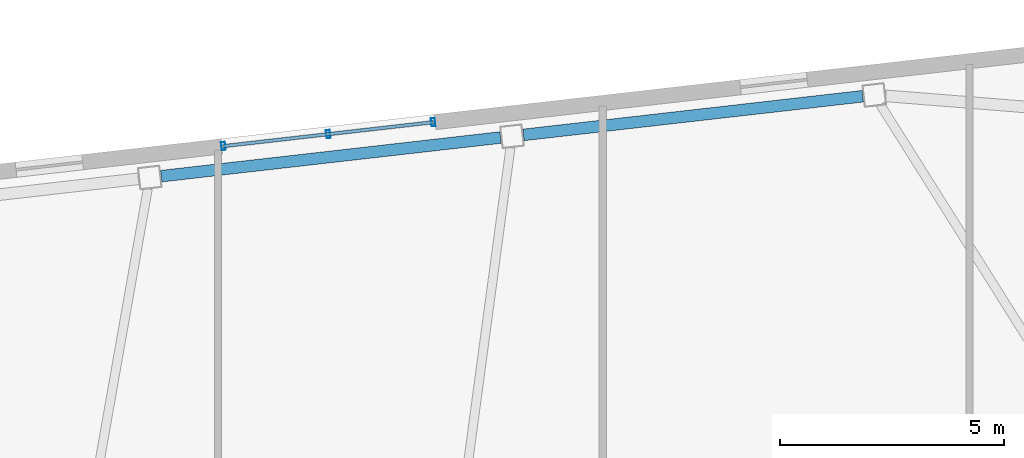
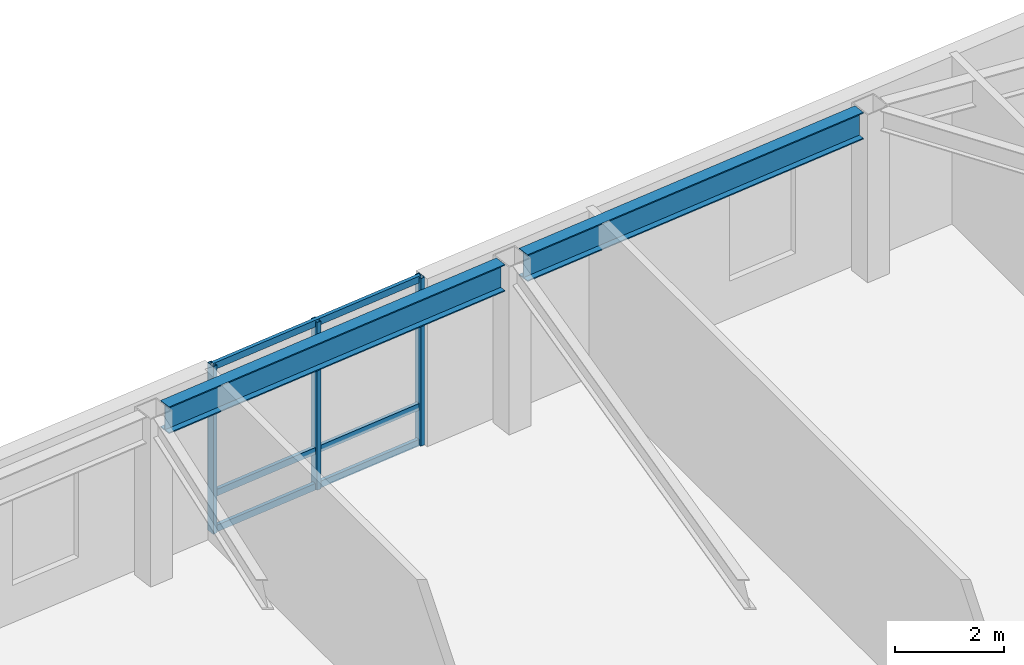
# One storey, part 10 of 18: 6 members, 2 beams, 1 element without a shape of its own.
"""IFC4 building model written with IfcOpenShell, lengths in metres."""

from ifc_helpers import new_model, si_unit, direction, frame, origin, origin_2d, place, context, subcontext, project, spatial, hollow_rectangle, i_section, extrude, material, layer, layer_set, material_profile, profile_set, type_object, element, aggregate, save


model = new_model("IFC4")

# Units and contexts
model_context = context("Model", 3, precision=1e-05, world=origin(), true_north=direction((0.0, 1.0)))
body_context = subcontext(model_context, "Body", "Model", "MODEL_VIEW")
ifc_project = project(units=[si_unit("LENGTHUNIT", "METRE"), si_unit("AREAUNIT", "SQUARE_METRE"), si_unit("VOLUMEUNIT", "CUBIC_METRE"), si_unit("PLANEANGLEUNIT", "RADIAN"), si_unit("MASSUNIT", "GRAM", prefix="KILO")], contexts=[model_context])

# Site, building, storey
site_placement = place(None, origin())
site = spatial("IfcSite", under=ifc_project, at=site_placement, CompositionType="ELEMENT")
building_placement = place(site_placement, origin())
building = spatial("IfcBuilding", under=site, at=building_placement, Name="Tavrogorsk Clinical Tower", CompositionType="ELEMENT")
storey_placement = place(building_placement, frame((0.0, 0.0, 230.199951171875)))
storey = spatial("IfcBuildingStorey", under=building, at=storey_placement, Name="L53", CompositionType="ELEMENT", Elevation=230.199951171875)

# Curtain wall, members
ifc_material_1 = material(Name="Anodised aluminium and triple IGU glazing", Category="aluminium")
ifc_layer = layer(ifc_material_1, 0.179931640625)
ifc_layer_set = layer_set([ifc_layer], Name="Anodised aluminium and triple IGU glazing")
curtain_wall_type = type_object("IfcCurtainWallType", Name="CW2_NorthSlot", PredefinedType="NOTDEFINED", material=ifc_layer_set)
curtain_wall_placement = place(storey_placement, origin())
curtain_wall = element("IfcCurtainWall", 1, at=curtain_wall_placement, inside=storey, type_object=curtain_wall_type, Name="L53 Curtain Wall CW-L53-N-SLOT-2", PredefinedType="NOTDEFINED")
ifc_material_2 = material(Name="Anodised aluminium alloy AW-6060", Category="aluminium")
ifc_material_profile_1 = material_profile(ifc_material_2, hollow_rectangle(XDim=0.090087890625, YDim=0.179931640625, WallThickness=0.00634765625, at=origin_2d()), Name="RHS-180x90x6.3")
ifc_profile_set_1 = profile_set([ifc_material_profile_1], Name="Anodised aluminium alloy AW-6060")
member_type_1 = type_object("IfcMemberType", Name="CwMullion_180x90", PredefinedType="MULLION", material=ifc_profile_set_1)
member_1_placement = place(storey_placement, frame((5.410400390625, 27.270263671875, 0.0), z_axis=(0.0, 0.0, 1.0), x_axis=(-0.993571855603, -0.11320321441, 0.0)))
member_1 = element("IfcMember", 2, at=member_1_placement, type_object=member_type_1, Name="CW-L53-N-SLOT-2 Mullion 1", PredefinedType="MULLION", context=body_context, shape_type="SweptSolid", body=[
    extrude(hollow_rectangle(XDim=0.090087890625, YDim=0.179931640625, WallThickness=0.00634765625, at=origin_2d()), origin(), (0.0, 0.0, 1.0), 3.739990234375),
])
member_2_placement = place(storey_placement, frame((3.06640625, 27.003173828125, 0.0), z_axis=(0.0, 0.0, 1.0), x_axis=(-0.993571855603, -0.11320321441, 0.0)))
member_2 = element("IfcMember", 3, at=member_2_placement, type_object=member_type_1, Name="CW-L53-N-SLOT-2 Mullion 2", PredefinedType="MULLION", context=body_context, shape_type="SweptSolid", body=[
    extrude(hollow_rectangle(XDim=0.090087890625, YDim=0.179931640625, WallThickness=0.00634765625, at=origin_2d()), origin(), (0.0, 0.0, 1.0), 3.739990234375),
])
member_3_placement = place(storey_placement, frame((0.72265625, 26.736083984375, 0.0), z_axis=(0.0, 0.0, 1.0), x_axis=(-0.993571855603, -0.11320321441, 0.0)))
member_3 = element("IfcMember", 4, at=member_3_placement, type_object=member_type_1, Name="CW-L53-N-SLOT-2 Mullion 3", PredefinedType="MULLION", context=body_context, shape_type="SweptSolid", body=[
    extrude(hollow_rectangle(XDim=0.090087890625, YDim=0.179931640625, WallThickness=0.00634765625, at=origin_2d()), origin(), (0.0, 0.0, 1.0), 3.739990234375),
])
ifc_material_3 = material(Name="Anodised aluminium alloy AW-6060", Category="aluminium")
ifc_material_profile_2 = material_profile(ifc_material_3, hollow_rectangle(XDim=0.074951171875, YDim=0.14990234375, WallThickness=0.0048828125, at=origin_2d()), Name="RHS-150x75x5")
ifc_profile_set_2 = profile_set([ifc_material_profile_2], Name="Anodised aluminium alloy AW-6060")
member_type_2 = type_object("IfcMemberType", Name="CwTransom_150x75", PredefinedType="USERDEFINED", material=ifc_profile_set_2)
member_4_placement = place(storey_placement, frame((5.410400390625, 27.270263671875, 0.050048828125), z_axis=(-0.993569979218, -0.113219682023, 0.0), x_axis=(0.113219682023, -0.993569979218, 0.0)))
member_4 = element("IfcMember", 5, at=member_4_placement, type_object=member_type_2, Name="CW-L53-N-SLOT-2 Transom 1", ObjectType="TRANSOM", PredefinedType="USERDEFINED", context=body_context, shape_type="SweptSolid", body=[
    extrude(hollow_rectangle(XDim=0.074951171875, YDim=0.14990234375, WallThickness=0.0048828125, at=origin_2d()), origin(), (0.0, 0.0, 1.0), 4.718017578125),
])
member_5_placement = place(storey_placement, frame((5.410400390625, 27.270263671875, 0.85009765625), z_axis=(-0.993569979218, -0.113219682023, 0.0), x_axis=(0.113219682023, -0.993569979218, 0.0)))
member_5 = element("IfcMember", 6, at=member_5_placement, type_object=member_type_2, Name="CW-L53-N-SLOT-2 Transom 2", ObjectType="TRANSOM", PredefinedType="USERDEFINED", context=body_context, shape_type="SweptSolid", body=[
    extrude(hollow_rectangle(XDim=0.074951171875, YDim=0.14990234375, WallThickness=0.0048828125, at=origin_2d()), origin(), (0.0, 0.0, 1.0), 4.718017578125),
])
member_6_placement = place(storey_placement, frame((5.410400390625, 27.270263671875, 3.68994140625), z_axis=(-0.993569979218, -0.113219682023, 0.0), x_axis=(0.113219682023, -0.993569979218, 0.0)))
member_6 = element("IfcMember", 7, at=member_6_placement, type_object=member_type_2, Name="CW-L53-N-SLOT-2 Transom 3", ObjectType="TRANSOM", PredefinedType="USERDEFINED", context=body_context, shape_type="SweptSolid", body=[
    extrude(hollow_rectangle(XDim=0.074951171875, YDim=0.14990234375, WallThickness=0.0048828125, at=origin_2d()), origin(), (0.0, 0.0, 1.0), 4.718017578125),
])
aggregate(curtain_wall, [member_1, member_2, member_3, member_4, member_5, member_6])

# Beams
ifc_material_4 = material(Name="Structural steel S390", Category="steel")
ifc_material_profile_3 = material_profile(ifc_material_4, i_section(OverallWidth=0.260009765625, OverallDepth=0.60009765625, WebThickness=0.014892578125, FlangeThickness=0.02392578125, at=origin_2d()), Name="B-600x260x15x24")
ifc_profile_set_3 = profile_set([ifc_material_profile_3], Name="Structural steel S390")
beam_type = type_object("IfcBeamType", Name="SpandrelBeam_B600", PredefinedType="SPANDREL", material=ifc_profile_set_3)
for number, where, z_axis, x_axis, name in (
    (8, (15.01220703125, 27.850830078125, 3.43994140625), (-0.993572099834, -0.113201070804, 0.0), (0.113201070804, -0.993572099834, 0.0), "L53 Perimeter Spandrel N2-N3"),
    (9, (6.916015625, 26.928466796875, 3.43994140625), (-0.993572099834, -0.113201070804, 0.0), (0.113201070804, -0.993572099834, 0.0), "L53 Perimeter Spandrel N3-N4"),
):
    element("IfcBeam", number, at=place(storey_placement, frame(where, z_axis=z_axis, x_axis=x_axis)), inside=storey, type_object=beam_type, Name=name, PredefinedType="SPANDREL", context=body_context, shape_type="SweptSolid", body=[
        extrude(i_section(OverallWidth=0.260009765625, OverallDepth=0.60009765625, WebThickness=0.014892578125, FlangeThickness=0.02392578125, at=origin_2d()), origin(), (0.0, 0.0, 1.0), 7.632568359375),
    ])

save(model, "model.ifc")
